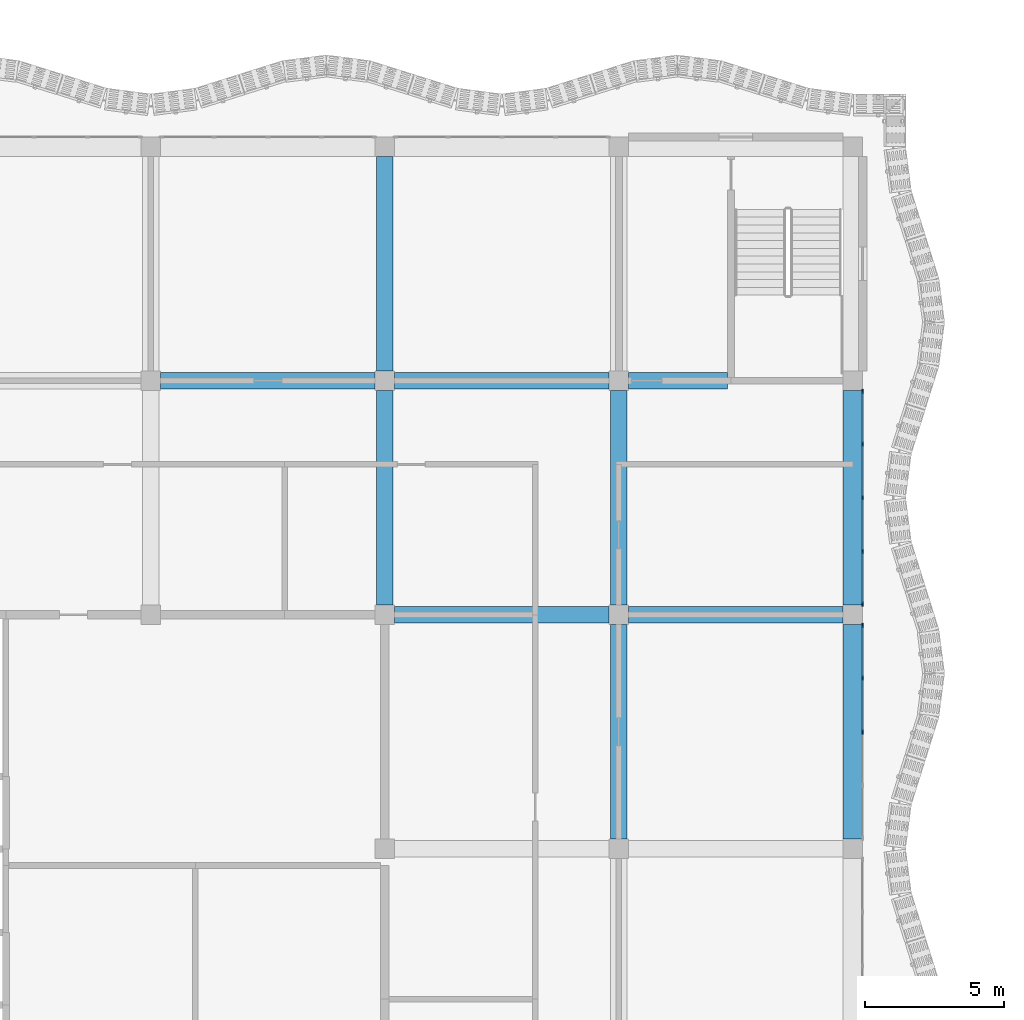
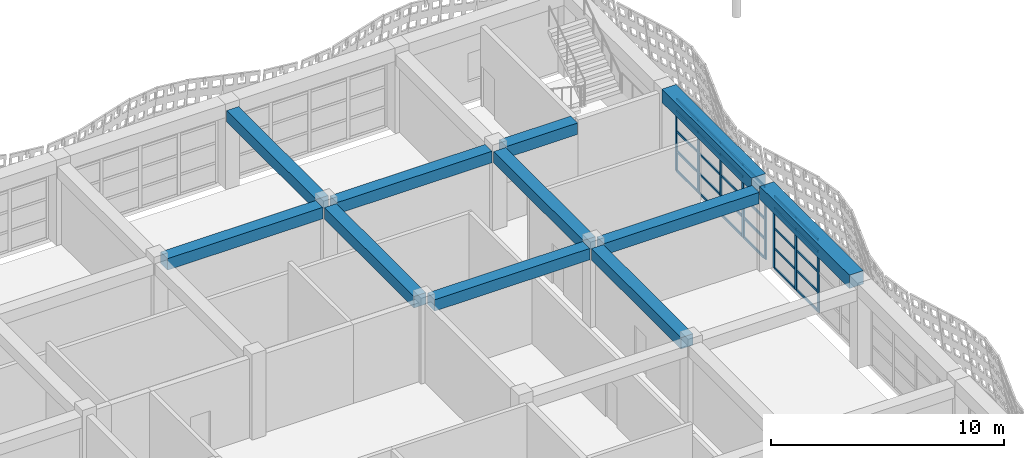
# One storey, part 23 of 162: 38 members, 11 beams, 2 elements without a shape of their own.
"""IFC4 building model written with IfcOpenShell, lengths in metres."""

import ifcopenshell
import ifcopenshell.guid

model = None  # the IFC model being written
_history = None  # IfcOwnerHistory: only IFC2X3 demands one
_inside = {}  # id of a spatial element -> (the spatial element, [elements in it])
_under = {}  # id of a project, library or spatial element -> (it, [spatial elements below it])
_declared = {}  # id of a project -> (the project, [libraries it declares])
_typed = {}  # id of a type object -> (the type object, [elements of that type])
_made_of = {}  # id of a material, layer set ... -> (it, [elements and type objects made of it])


def new_model(schema):
    """Start an empty IFC model of exactly this schema.

    Asked for "IFC4X3", IfcOpenShell would pick the latest addendum, in which some entities
    have other attributes; the version numbers below select the first issue.
    IFC2X3 requires an IfcOwnerHistory on every rooted entity: one is made here for all.
    """
    global model, _history
    if schema == "IFC4X3":
        model = ifcopenshell.file(schema_version=(4, 3, 0, 0))
    else:
        model = ifcopenshell.file(schema=schema)
    _inside.clear()
    _under.clear()
    _declared.clear()
    _typed.clear()
    _made_of.clear()
    _history = None
    if model.schema == "IFC2X3":
        org = make("IfcOrganization", Name="unknown")
        user = make(
            "IfcPersonAndOrganization",
            ThePerson=make("IfcPerson", FamilyName="unknown"),
            TheOrganization=org,
        )
        app = make(
            "IfcApplication",
            ApplicationDeveloper=org,
            Version="unknown",
            ApplicationFullName="unknown",
            ApplicationIdentifier="unknown",
        )
        _history = make(
            "IfcOwnerHistory",
            OwningUser=user,
            OwningApplication=app,
            ChangeAction="ADDED",
            CreationDate=0,
        )
    return model


def make(cls, **values):
    """One entity of the class cls with the attributes given. An attribute that is None is left unset."""
    return model.create_entity(
        cls, **{name: value for name, value in values.items() if value is not None}
    )


def rooted(cls, **values):
    """An entity with a GlobalId (a new one), such as an element, a storey or a relation."""
    return make(cls, GlobalId=ifcopenshell.guid.new(), OwnerHistory=_history, **values)


def si_unit(unit_type, name, prefix=None):
    """IfcSIUnit, for example si_unit("LENGTHUNIT", "METRE", prefix="MILLI")."""
    return make("IfcSIUnit", UnitType=unit_type, Prefix=prefix, Name=name)


def assignment(units):
    """IfcUnitAssignment: the units of a project."""
    return None if units is None else make("IfcUnitAssignment", Units=units)


def point(xyz):
    """IfcCartesianPoint."""
    return None if xyz is None else make("IfcCartesianPoint", Coordinates=xyz)


def direction(xyz):
    """IfcDirection."""
    return None if xyz is None else make("IfcDirection", DirectionRatios=xyz)


def frame(location, z_axis=None, x_axis=None):
    """IfcAxis2Placement3D, a coordinate frame: its origin and axes. An axis left out is left unset."""
    return make(
        "IfcAxis2Placement3D",
        Location=point(location),
        Axis=direction(z_axis),
        RefDirection=direction(x_axis),
    )


def frame_2d(location, x_axis=None):
    """IfcAxis2Placement2D, a coordinate frame in the plane: its origin and x axis."""
    return make(
        "IfcAxis2Placement2D", Location=point(location), RefDirection=direction(x_axis)
    )


def origin():
    """The frame at (0, 0, 0) with its axes left unset."""
    return frame((0.0, 0.0, 0.0))


def origin_2d():
    """The frame at (0, 0) in the plane with its x axis left unset."""
    return frame_2d((0.0, 0.0))


def place(relative_to, where):
    """IfcLocalPlacement: puts the frame where relative to a parent placement (None: the world)."""
    return make(
        "IfcLocalPlacement", PlacementRelTo=relative_to, RelativePlacement=where
    )


def context(
    kind, dimensions, precision=None, world=None, true_north=None, identifier=None
):
    """IfcGeometricRepresentationContext, for example the 3D "Model" context."""
    return make(
        "IfcGeometricRepresentationContext",
        ContextIdentifier=identifier,
        ContextType=kind,
        CoordinateSpaceDimension=dimensions,
        Precision=precision,
        WorldCoordinateSystem=world,
        TrueNorth=true_north,
    )


def subcontext(parent, identifier, kind, view, scale=None):
    """IfcGeometricRepresentationSubContext, for example "Body" below "Model"."""
    return make(
        "IfcGeometricRepresentationSubContext",
        ContextIdentifier=identifier,
        ContextType=kind,
        ParentContext=parent,
        TargetScale=scale,
        TargetView=view,
    )


def project(units=None, contexts=None):
    """IfcProject with its units and contexts."""
    return rooted(
        "IfcProject",
        Name="project",
        RepresentationContexts=contexts,
        UnitsInContext=assignment(units),
    )


def spatial(cls, under=None, at=None, **own):
    """A site, building, storey or space (cls), placed at a placement, below another one or the project."""
    s = rooted(cls, ObjectPlacement=at, **own)
    if under is not None:
        _under.setdefault(under.id(), (under, []))[1].append(s)
    return s


def profile(cls, at=None, kind="AREA", **sizes):
    """A parametric profile (cls). Its sizes go by their IFC names, for example OverallWidth=200.0."""
    return make(cls, ProfileType=kind, Position=at, **sizes)


def rectangle(**sizes):
    """IfcRectangleProfileDef."""
    return profile("IfcRectangleProfileDef", **sizes)


def extrude(swept, where, along, depth):
    """IfcExtrudedAreaSolid: the profile swept, set in the frame where, extruded along a direction by depth."""
    return make(
        "IfcExtrudedAreaSolid",
        SweptArea=swept,
        Position=where,
        ExtrudedDirection=direction(along),
        Depth=depth,
    )


def shape(context_of_items, identifier, shape_type, items):
    """IfcShapeRepresentation: the items that make up one representation, for example the "Body"."""
    return make(
        "IfcShapeRepresentation",
        ContextOfItems=context_of_items,
        RepresentationIdentifier=identifier,
        RepresentationType=shape_type,
        Items=items,
    )


def material(Name=None, Category=None):
    """IfcMaterial."""
    return make("IfcMaterial", Name=Name, Category=Category)


def material_profile(
    of_material, cross_section, Name=None, Category=None, Priority=None
):
    """IfcMaterialProfile: a cross section and its material."""
    return make(
        "IfcMaterialProfile",
        Name=Name,
        Material=of_material,
        Profile=cross_section,
        Priority=Priority,
        Category=Category,
    )


def profile_set(profiles, Name=None, composite=None):
    """IfcMaterialProfileSet."""
    return make(
        "IfcMaterialProfileSet",
        Name=Name,
        MaterialProfiles=profiles,
        CompositeProfile=composite,
    )


def made_of(thing, what):
    """Note that an element or type object is made of a material, layer set ...; save() writes the relation."""
    if what is not None:
        _made_of.setdefault(what.id(), (what, []))[1].append(thing)
    return thing


def type_object(cls, material=None, **own):
    """A type object (cls), such as IfcWallType, which elements share."""
    return made_of(rooted(cls, **own), material)


def element(
    cls,
    number,
    at=None,
    inside=None,
    cuts=None,
    type_object=None,
    material=None,
    context=None,
    identifier="Body",
    shape_type=None,
    held_by="IfcProductDefinitionShape",
    body=None,
    shapes=None,
    **own,
):
    """One element of the class cls, such as IfcWall. Its Tag is "e" and its number.

    at: its placement. inside: the storey or other place that contains it. cuts: it is an
    opening in that element (IfcRelVoidsElement). A single representation is given by context,
    identifier, shape_type and body (its items); several are given by shapes. held_by: the class
    of the entity that holds the representations. save() writes the other relations.
    """
    e = rooted(cls, Tag="e%d" % number, ObjectPlacement=at, **own)
    if body is not None:
        shapes = [shape(context, identifier, shape_type, body)]
    if shapes is not None:
        e.Representation = make(held_by, Representations=shapes)
    if inside is not None:
        _inside.setdefault(inside.id(), (inside, []))[1].append(e)
    if cuts is not None:
        rooted(
            "IfcRelVoidsElement", RelatingBuildingElement=cuts, RelatedOpeningElement=e
        )
    if type_object is not None:
        _typed.setdefault(type_object.id(), (type_object, []))[1].append(e)
    return made_of(e, material)


def aggregate(whole, parts):
    """IfcRelAggregates: a whole, such as a stair, and the parts it consists of."""
    return rooted("IfcRelAggregates", RelatingObject=whole, RelatedObjects=parts)


def save(model, path):
    """Write the relations noted so far, then the file.

    IfcRelAggregates (storeys below a building ...), IfcRelContainedInSpatialStructure (elements
    in a storey), IfcRelDefinesByType, IfcRelAssociatesMaterial and IfcRelDeclares: one each for
    every whole, place, type object, material and project.
    """
    for whole, parts in _under.values():
        aggregate(whole, parts)
    for where, things in _inside.values():
        rooted(
            "IfcRelContainedInSpatialStructure",
            RelatedElements=things,
            RelatingStructure=where,
        )
    for kind, things in _typed.values():
        rooted("IfcRelDefinesByType", RelatedObjects=things, RelatingType=kind)
    for what, things in _made_of.values():
        rooted("IfcRelAssociatesMaterial", RelatedObjects=things, RelatingMaterial=what)
    for by, libraries in _declared.values():
        rooted("IfcRelDeclares", RelatingContext=by, RelatedDefinitions=libraries)
    model.write(path)


model = new_model("IFC4")

# Units and contexts
model_context = context("Model", 3, precision=1e-05, world=origin(), true_north=direction((0.0, 1.0)))
body_context = subcontext(model_context, "Body", "Model", "MODEL_VIEW")
ifc_project = project(units=[si_unit("LENGTHUNIT", "METRE"), si_unit("AREAUNIT", "SQUARE_METRE"), si_unit("VOLUMEUNIT", "CUBIC_METRE"), si_unit("PLANEANGLEUNIT", "RADIAN"), si_unit("MASSUNIT", "GRAM", prefix="KILO")], contexts=[model_context])

# Site, building, storey
site_placement = place(None, origin())
site = spatial("IfcSite", under=ifc_project, at=site_placement, CompositionType="ELEMENT")
building_placement = place(site_placement, origin())
building = spatial("IfcBuilding", under=site, at=building_placement, Name="Rain Tree Exposition and Congress Centre", CompositionType="ELEMENT")
storey_placement = place(building_placement, frame((0.0, 0.0, 6.0)))
storey = spatial("IfcBuildingStorey", under=building, at=storey_placement, Name="L01", CompositionType="ELEMENT", Elevation=6.0)

# Beams
ifc_material_1 = material(Name="Precast concrete C50/60", Category="concrete")
ifc_material_profile_1 = material_profile(ifc_material_1, rectangle(XDim=0.60009765625, YDim=0.60009765625, at=origin_2d()), Name="RC 600x600")
ifc_profile_set_1 = profile_set([ifc_material_profile_1], Name="Precast concrete C50/60")
beam_type_1 = type_object("IfcBeamType", Name="Precast beam 600x600", PredefinedType="BEAM", material=ifc_profile_set_1)
for number, where, z_axis, x_axis, name in (
    (1, (33.949951171875, 33.60009765625, 3.85009765625), (1.0, 0.0, 0.0), (0.0, 1.0, 0.0), "wing/beam/L01/L02/045"),
    (2, (33.60009765625, 33.949951171875, 3.85009765625), (0.0, 1.0, 0.0), (-1.0, 0.0, 0.0), "wing/beam/L01/L02/046"),
    (3, (42.35009765625, 33.60009765625, 3.85009765625), (1.0, 0.0, 0.0), (0.0, 1.0, 0.0), "wing/beam/L01/L02/047"),
    (4, (33.60009765625, 42.35009765625, 3.85009765625), (0.0, 1.0, 0.0), (-1.0, 0.0, 0.0), "wing/beam/L01/L02/048"),
    (5, (25.550048828125, 42.0, 3.85009765625), (1.0, 0.0, 0.0), (0.0, 1.0, 0.0), "wing/beam/L01/L02/055"),
    (6, (42.0, 25.550048828125, 3.85009765625), (0.0, 1.0, 0.0), (-1.0, 0.0, 0.0), "wing/beam/L01/L02/056"),
    (7, (33.949951171875, 42.0, 3.85009765625), (1.0, 0.0, 0.0), (0.0, 1.0, 0.0), "wing/beam/L01/L02/057"),
    (8, (42.0, 33.949951171875, 3.85009765625), (0.0, 1.0, 0.0), (-1.0, 0.0, 0.0), "wing/beam/L01/L02/058"),
):
    element("IfcBeam", number, at=place(storey_placement, frame(where, z_axis=z_axis, x_axis=x_axis)), inside=storey, type_object=beam_type_1, Name=name, PredefinedType="BEAM", context=body_context, shape_type="SweptSolid", body=[
        extrude(rectangle(XDim=0.60009765625, YDim=0.60009765625, at=origin_2d()), origin(), (0.0, 0.0, 1.0), 7.699951171875),
    ])
beam_placement = place(storey_placement, frame((42.35009765625, 42.0, 3.85009765625), z_axis=(1.0, 0.0, 0.0), x_axis=(0.0, 1.0, 0.0)))
element("IfcBeam", 9, at=beam_placement, inside=storey, type_object=beam_type_1, Name="wing/beam/L01/L02/059", PredefinedType="BEAM", context=body_context, shape_type="SweptSolid", body=[
    extrude(rectangle(XDim=0.60009765625, YDim=0.60009765625, at=origin_2d()), origin(), (0.0, 0.0, 1.0), 3.5498046875),
])
ifc_material_2 = material(Name="Precast concrete C50/60", Category="concrete")
ifc_material_profile_2 = material_profile(ifc_material_2, rectangle(XDim=0.699951171875, YDim=0.699951171875, at=origin_2d()), Name="RC 700x700")
ifc_profile_set_2 = profile_set([ifc_material_profile_2], Name="Precast concrete C50/60")
beam_type_2 = type_object("IfcBeamType", Name="Precast spandrel beam 700x700", PredefinedType="SPANDREL", material=ifc_profile_set_2)
for number, where, z_axis, x_axis, name in (
    (10, (50.39990234375, 25.550048828125, 4.14990234375), (0.0, 1.0, 0.0), (-1.0, 0.0, 0.0), "wing/beam/L01/L02/068"),
    (11, (50.39990234375, 33.949951171875, 4.14990234375), (0.0, 1.0, 0.0), (-1.0, 0.0, 0.0), "wing/beam/L01/L02/070"),
):
    element("IfcBeam", number, at=place(storey_placement, frame(where, z_axis=z_axis, x_axis=x_axis)), inside=storey, type_object=beam_type_2, Name=name, PredefinedType="SPANDREL", context=body_context, shape_type="SweptSolid", body=[
        extrude(rectangle(XDim=0.699951171875, YDim=0.699951171875, at=origin_2d()), origin(), (0.0, 0.0, 1.0), 7.699951171875),
    ])

# Curtain wall, members
ifc_material_3 = material(Name="Aluminium curtain wall", Category="aluminium")
curtain_wall_type = type_object("IfcCurtainWallType", Name="Wing curtain wall 1925", PredefinedType="NOTDEFINED", material=ifc_material_3)
curtain_wall_1_placement = place(storey_placement, origin())
curtain_wall_1 = element("IfcCurtainWall", 12, at=curtain_wall_1_placement, inside=storey, type_object=curtain_wall_type, Name="Curtain wall CWW214", PredefinedType="NOTDEFINED")
ifc_material_4 = material(Name="Aluminium", Category="aluminium")
ifc_material_profile_3 = material_profile(ifc_material_4, rectangle(XDim=0.06005859375, YDim=0.159912109375, at=origin_2d()), Name="Aluminium 60x160")
ifc_profile_set_3 = profile_set([ifc_material_profile_3], Name="Aluminium")
member_type_1 = type_object("IfcMemberType", Name="Wing mullion 60x160", PredefinedType="MULLION", material=ifc_profile_set_3)
member_1_placement = place(storey_placement, frame((50.75, 29.39990234375, 0.0), z_axis=(0.0, 0.0, 1.0), x_axis=(-1.0, 0.0, 0.0)))
member_1 = element("IfcMember", 13, at=member_1_placement, type_object=member_type_1, Name="CWW214 mullion 3", PredefinedType="MULLION", context=body_context, shape_type="SweptSolid", body=[
    extrude(rectangle(XDim=0.06005859375, YDim=0.159912109375, at=origin_2d()), origin(), (0.0, 0.0, 1.0), 3.800048828125),
])
member_2_placement = place(storey_placement, frame((50.75, 31.324951171875, 0.0), z_axis=(0.0, 0.0, 1.0), x_axis=(-1.0, 0.0, 0.0)))
member_2 = element("IfcMember", 14, at=member_2_placement, type_object=member_type_1, Name="CWW214 mullion 4", PredefinedType="MULLION", context=body_context, shape_type="SweptSolid", body=[
    extrude(rectangle(XDim=0.06005859375, YDim=0.159912109375, at=origin_2d()), origin(), (0.0, 0.0, 1.0), 3.800048828125),
])
member_3_placement = place(storey_placement, frame((50.75, 33.219970703125, 0.0), z_axis=(0.0, 0.0, 1.0), x_axis=(-1.0, 0.0, 0.0)))
member_3 = element("IfcMember", 15, at=member_3_placement, type_object=member_type_1, Name="CWW214 mullion 5", PredefinedType="MULLION", context=body_context, shape_type="SweptSolid", body=[
    extrude(rectangle(XDim=0.06005859375, YDim=0.159912109375, at=origin_2d()), origin(), (0.0, 0.0, 1.0), 3.800048828125),
])

curtain_wall_2_placement = place(storey_placement, origin())
curtain_wall_2 = element("IfcCurtainWall", 16, at=curtain_wall_2_placement, inside=storey, type_object=curtain_wall_type, Name="Curtain wall CWW215", PredefinedType="NOTDEFINED")
member_4_placement = place(storey_placement, frame((50.75, 33.97998046875, 0.0), z_axis=(0.0, 0.0, 1.0), x_axis=(-1.0, 0.0, 0.0)))
member_4 = element("IfcMember", 17, at=member_4_placement, type_object=member_type_1, Name="CWW215 mullion 1", PredefinedType="MULLION", context=body_context, shape_type="SweptSolid", body=[
    extrude(rectangle(XDim=0.06005859375, YDim=0.159912109375, at=origin_2d()), origin(), (0.0, 0.0, 1.0), 3.800048828125),
])
member_5_placement = place(storey_placement, frame((50.75, 35.875, 0.0), z_axis=(0.0, 0.0, 1.0), x_axis=(-1.0, 0.0, 0.0)))
member_5 = element("IfcMember", 18, at=member_5_placement, type_object=member_type_1, Name="CWW215 mullion 2", PredefinedType="MULLION", context=body_context, shape_type="SweptSolid", body=[
    extrude(rectangle(XDim=0.06005859375, YDim=0.159912109375, at=origin_2d()), origin(), (0.0, 0.0, 1.0), 3.800048828125),
])
member_6_placement = place(storey_placement, frame((50.75, 37.800048828125, 0.0), z_axis=(0.0, 0.0, 1.0), x_axis=(-1.0, 0.0, 0.0)))
member_6 = element("IfcMember", 19, at=member_6_placement, type_object=member_type_1, Name="CWW215 mullion 3", PredefinedType="MULLION", context=body_context, shape_type="SweptSolid", body=[
    extrude(rectangle(XDim=0.06005859375, YDim=0.159912109375, at=origin_2d()), origin(), (0.0, 0.0, 1.0), 3.800048828125),
])
member_7_placement = place(storey_placement, frame((50.75, 39.72509765625, 0.0), z_axis=(0.0, 0.0, 1.0), x_axis=(-1.0, 0.0, 0.0)))
member_7 = element("IfcMember", 20, at=member_7_placement, type_object=member_type_1, Name="CWW215 mullion 4", PredefinedType="MULLION", context=body_context, shape_type="SweptSolid", body=[
    extrude(rectangle(XDim=0.06005859375, YDim=0.159912109375, at=origin_2d()), origin(), (0.0, 0.0, 1.0), 3.800048828125),
])
member_8_placement = place(storey_placement, frame((50.75, 41.6201171875, 0.0), z_axis=(0.0, 0.0, 1.0), x_axis=(-1.0, 0.0, 0.0)))
member_8 = element("IfcMember", 21, at=member_8_placement, type_object=member_type_1, Name="CWW215 mullion 5", PredefinedType="MULLION", context=body_context, shape_type="SweptSolid", body=[
    extrude(rectangle(XDim=0.06005859375, YDim=0.159912109375, at=origin_2d()), origin(), (0.0, 0.0, 1.0), 3.800048828125),
])

# Member
ifc_material_5 = material(Name="Aluminium", Category="aluminium")
ifc_material_profile_4 = material_profile(ifc_material_5, rectangle(XDim=0.06005859375, YDim=0.1201171875, at=origin_2d()), Name="Aluminium 60x120")
ifc_profile_set_4 = profile_set([ifc_material_profile_4], Name="Aluminium")
member_type_2 = type_object("IfcMemberType", Name="Wing transom 60x120", PredefinedType="USERDEFINED", material=ifc_profile_set_4)
member_9_placement = place(storey_placement, frame((50.75, 29.429931640625, 0.030029296875), z_axis=(0.0, 1.0, 0.0), x_axis=(-1.0, 0.0, 0.0)))
member_9 = element("IfcMember", 22, at=member_9_placement, type_object=member_type_2, Name="CWW214 transom 3.1", ObjectType="TRANSOM", PredefinedType="USERDEFINED", context=body_context, shape_type="SweptSolid", body=[
    extrude(rectangle(XDim=0.06005859375, YDim=0.1201171875, at=origin_2d()), origin(), (0.0, 0.0, 1.0), 1.864990234375),
])

member_10_placement = place(storey_placement, frame((50.75, 29.429931640625, 1.050048828125), z_axis=(0.0, 1.0, 0.0), x_axis=(-1.0, 0.0, 0.0)))
member_10 = element("IfcMember", 23, at=member_10_placement, type_object=member_type_2, Name="CWW214 transom 3.2", ObjectType="TRANSOM", PredefinedType="USERDEFINED", context=body_context, shape_type="SweptSolid", body=[
    extrude(rectangle(XDim=0.06005859375, YDim=0.1201171875, at=origin_2d()), origin(), (0.0, 0.0, 1.0), 1.864990234375),
])

member_11_placement = place(storey_placement, frame((50.75, 29.429931640625, 2.10009765625), z_axis=(0.0, 1.0, 0.0), x_axis=(-1.0, 0.0, 0.0)))
member_11 = element("IfcMember", 24, at=member_11_placement, type_object=member_type_2, Name="CWW214 transom 3.3", ObjectType="TRANSOM", PredefinedType="USERDEFINED", context=body_context, shape_type="SweptSolid", body=[
    extrude(rectangle(XDim=0.06005859375, YDim=0.1201171875, at=origin_2d()), origin(), (0.0, 0.0, 1.0), 1.864990234375),
])

member_12_placement = place(storey_placement, frame((50.75, 29.429931640625, 3.14990234375), z_axis=(0.0, 1.0, 0.0), x_axis=(-1.0, 0.0, 0.0)))
member_12 = element("IfcMember", 25, at=member_12_placement, type_object=member_type_2, Name="CWW214 transom 3.4", ObjectType="TRANSOM", PredefinedType="USERDEFINED", context=body_context, shape_type="SweptSolid", body=[
    extrude(rectangle(XDim=0.06005859375, YDim=0.1201171875, at=origin_2d()), origin(), (0.0, 0.0, 1.0), 1.864990234375),
])

member_13_placement = place(storey_placement, frame((50.75, 29.429931640625, 3.77001953125), z_axis=(0.0, 1.0, 0.0), x_axis=(-1.0, 0.0, 0.0)))
member_13 = element("IfcMember", 26, at=member_13_placement, type_object=member_type_2, Name="CWW214 transom 3.5", ObjectType="TRANSOM", PredefinedType="USERDEFINED", context=body_context, shape_type="SweptSolid", body=[
    extrude(rectangle(XDim=0.06005859375, YDim=0.1201171875, at=origin_2d()), origin(), (0.0, 0.0, 1.0), 1.864990234375),
])

member_14_placement = place(storey_placement, frame((50.75, 31.35498046875, 0.030029296875), z_axis=(0.0, 1.0, 0.0), x_axis=(-1.0, 0.0, 0.0)))
member_14 = element("IfcMember", 27, at=member_14_placement, type_object=member_type_2, Name="CWW214 transom 4.1", ObjectType="TRANSOM", PredefinedType="USERDEFINED", context=body_context, shape_type="SweptSolid", body=[
    extrude(rectangle(XDim=0.06005859375, YDim=0.1201171875, at=origin_2d()), origin(), (0.0, 0.0, 1.0), 1.8349609375),
])

member_15_placement = place(storey_placement, frame((50.75, 31.35498046875, 1.050048828125), z_axis=(0.0, 1.0, 0.0), x_axis=(-1.0, 0.0, 0.0)))
member_15 = element("IfcMember", 28, at=member_15_placement, type_object=member_type_2, Name="CWW214 transom 4.2", ObjectType="TRANSOM", PredefinedType="USERDEFINED", context=body_context, shape_type="SweptSolid", body=[
    extrude(rectangle(XDim=0.06005859375, YDim=0.1201171875, at=origin_2d()), origin(), (0.0, 0.0, 1.0), 1.8349609375),
])

member_16_placement = place(storey_placement, frame((50.75, 31.35498046875, 2.10009765625), z_axis=(0.0, 1.0, 0.0), x_axis=(-1.0, 0.0, 0.0)))
member_16 = element("IfcMember", 29, at=member_16_placement, type_object=member_type_2, Name="CWW214 transom 4.3", ObjectType="TRANSOM", PredefinedType="USERDEFINED", context=body_context, shape_type="SweptSolid", body=[
    extrude(rectangle(XDim=0.06005859375, YDim=0.1201171875, at=origin_2d()), origin(), (0.0, 0.0, 1.0), 1.8349609375),
])

member_17_placement = place(storey_placement, frame((50.75, 31.35498046875, 3.14990234375), z_axis=(0.0, 1.0, 0.0), x_axis=(-1.0, 0.0, 0.0)))
member_17 = element("IfcMember", 30, at=member_17_placement, type_object=member_type_2, Name="CWW214 transom 4.4", ObjectType="TRANSOM", PredefinedType="USERDEFINED", context=body_context, shape_type="SweptSolid", body=[
    extrude(rectangle(XDim=0.06005859375, YDim=0.1201171875, at=origin_2d()), origin(), (0.0, 0.0, 1.0), 1.8349609375),
])

member_18_placement = place(storey_placement, frame((50.75, 31.35498046875, 3.77001953125), z_axis=(0.0, 1.0, 0.0), x_axis=(-1.0, 0.0, 0.0)))
member_18 = element("IfcMember", 31, at=member_18_placement, type_object=member_type_2, Name="CWW214 transom 4.5", ObjectType="TRANSOM", PredefinedType="USERDEFINED", context=body_context, shape_type="SweptSolid", body=[
    extrude(rectangle(XDim=0.06005859375, YDim=0.1201171875, at=origin_2d()), origin(), (0.0, 0.0, 1.0), 1.8349609375),
])

aggregate(curtain_wall_1, [member_1, member_2, member_3, member_9, member_10, member_11, member_12, member_13, member_14, member_15, member_16, member_17, member_18])

member_19_placement = place(storey_placement, frame((50.75, 34.010009765625, 0.030029296875), z_axis=(0.0, 1.0, 0.0), x_axis=(-1.0, 0.0, 0.0)))
member_19 = element("IfcMember", 32, at=member_19_placement, type_object=member_type_2, Name="CWW215 transom 1.1", ObjectType="TRANSOM", PredefinedType="USERDEFINED", context=body_context, shape_type="SweptSolid", body=[
    extrude(rectangle(XDim=0.06005859375, YDim=0.1201171875, at=origin_2d()), origin(), (0.0, 0.0, 1.0), 1.8349609375),
])

member_20_placement = place(storey_placement, frame((50.75, 34.010009765625, 1.050048828125), z_axis=(0.0, 1.0, 0.0), x_axis=(-1.0, 0.0, 0.0)))
member_20 = element("IfcMember", 33, at=member_20_placement, type_object=member_type_2, Name="CWW215 transom 1.2", ObjectType="TRANSOM", PredefinedType="USERDEFINED", context=body_context, shape_type="SweptSolid", body=[
    extrude(rectangle(XDim=0.06005859375, YDim=0.1201171875, at=origin_2d()), origin(), (0.0, 0.0, 1.0), 1.8349609375),
])

member_21_placement = place(storey_placement, frame((50.75, 34.010009765625, 2.10009765625), z_axis=(0.0, 1.0, 0.0), x_axis=(-1.0, 0.0, 0.0)))
member_21 = element("IfcMember", 34, at=member_21_placement, type_object=member_type_2, Name="CWW215 transom 1.3", ObjectType="TRANSOM", PredefinedType="USERDEFINED", context=body_context, shape_type="SweptSolid", body=[
    extrude(rectangle(XDim=0.06005859375, YDim=0.1201171875, at=origin_2d()), origin(), (0.0, 0.0, 1.0), 1.8349609375),
])

member_22_placement = place(storey_placement, frame((50.75, 34.010009765625, 3.14990234375), z_axis=(0.0, 1.0, 0.0), x_axis=(-1.0, 0.0, 0.0)))
member_22 = element("IfcMember", 35, at=member_22_placement, type_object=member_type_2, Name="CWW215 transom 1.4", ObjectType="TRANSOM", PredefinedType="USERDEFINED", context=body_context, shape_type="SweptSolid", body=[
    extrude(rectangle(XDim=0.06005859375, YDim=0.1201171875, at=origin_2d()), origin(), (0.0, 0.0, 1.0), 1.8349609375),
])

member_23_placement = place(storey_placement, frame((50.75, 34.010009765625, 3.77001953125), z_axis=(0.0, 1.0, 0.0), x_axis=(-1.0, 0.0, 0.0)))
member_23 = element("IfcMember", 36, at=member_23_placement, type_object=member_type_2, Name="CWW215 transom 1.5", ObjectType="TRANSOM", PredefinedType="USERDEFINED", context=body_context, shape_type="SweptSolid", body=[
    extrude(rectangle(XDim=0.06005859375, YDim=0.1201171875, at=origin_2d()), origin(), (0.0, 0.0, 1.0), 1.8349609375),
])

member_24_placement = place(storey_placement, frame((50.75, 35.905029296875, 0.030029296875), z_axis=(0.0, 1.0, 0.0), x_axis=(-1.0, 0.0, 0.0)))
member_24 = element("IfcMember", 37, at=member_24_placement, type_object=member_type_2, Name="CWW215 transom 2.1", ObjectType="TRANSOM", PredefinedType="USERDEFINED", context=body_context, shape_type="SweptSolid", body=[
    extrude(rectangle(XDim=0.06005859375, YDim=0.1201171875, at=origin_2d()), origin(), (0.0, 0.0, 1.0), 1.864990234375),
])

member_25_placement = place(storey_placement, frame((50.75, 35.905029296875, 1.050048828125), z_axis=(0.0, 1.0, 0.0), x_axis=(-1.0, 0.0, 0.0)))
member_25 = element("IfcMember", 38, at=member_25_placement, type_object=member_type_2, Name="CWW215 transom 2.2", ObjectType="TRANSOM", PredefinedType="USERDEFINED", context=body_context, shape_type="SweptSolid", body=[
    extrude(rectangle(XDim=0.06005859375, YDim=0.1201171875, at=origin_2d()), origin(), (0.0, 0.0, 1.0), 1.864990234375),
])

member_26_placement = place(storey_placement, frame((50.75, 35.905029296875, 2.10009765625), z_axis=(0.0, 1.0, 0.0), x_axis=(-1.0, 0.0, 0.0)))
member_26 = element("IfcMember", 39, at=member_26_placement, type_object=member_type_2, Name="CWW215 transom 2.3", ObjectType="TRANSOM", PredefinedType="USERDEFINED", context=body_context, shape_type="SweptSolid", body=[
    extrude(rectangle(XDim=0.06005859375, YDim=0.1201171875, at=origin_2d()), origin(), (0.0, 0.0, 1.0), 1.864990234375),
])

member_27_placement = place(storey_placement, frame((50.75, 35.905029296875, 3.14990234375), z_axis=(0.0, 1.0, 0.0), x_axis=(-1.0, 0.0, 0.0)))
member_27 = element("IfcMember", 40, at=member_27_placement, type_object=member_type_2, Name="CWW215 transom 2.4", ObjectType="TRANSOM", PredefinedType="USERDEFINED", context=body_context, shape_type="SweptSolid", body=[
    extrude(rectangle(XDim=0.06005859375, YDim=0.1201171875, at=origin_2d()), origin(), (0.0, 0.0, 1.0), 1.864990234375),
])

member_28_placement = place(storey_placement, frame((50.75, 35.905029296875, 3.77001953125), z_axis=(0.0, 1.0, 0.0), x_axis=(-1.0, 0.0, 0.0)))
member_28 = element("IfcMember", 41, at=member_28_placement, type_object=member_type_2, Name="CWW215 transom 2.5", ObjectType="TRANSOM", PredefinedType="USERDEFINED", context=body_context, shape_type="SweptSolid", body=[
    extrude(rectangle(XDim=0.06005859375, YDim=0.1201171875, at=origin_2d()), origin(), (0.0, 0.0, 1.0), 1.864990234375),
])

member_29_placement = place(storey_placement, frame((50.75, 37.830078125, 0.030029296875), z_axis=(0.0, 1.0, 0.0), x_axis=(-1.0, 0.0, 0.0)))
member_29 = element("IfcMember", 42, at=member_29_placement, type_object=member_type_2, Name="CWW215 transom 3.1", ObjectType="TRANSOM", PredefinedType="USERDEFINED", context=body_context, shape_type="SweptSolid", body=[
    extrude(rectangle(XDim=0.06005859375, YDim=0.1201171875, at=origin_2d()), origin(), (0.0, 0.0, 1.0), 1.864990234375),
])

member_30_placement = place(storey_placement, frame((50.75, 37.830078125, 1.050048828125), z_axis=(0.0, 1.0, 0.0), x_axis=(-1.0, 0.0, 0.0)))
member_30 = element("IfcMember", 43, at=member_30_placement, type_object=member_type_2, Name="CWW215 transom 3.2", ObjectType="TRANSOM", PredefinedType="USERDEFINED", context=body_context, shape_type="SweptSolid", body=[
    extrude(rectangle(XDim=0.06005859375, YDim=0.1201171875, at=origin_2d()), origin(), (0.0, 0.0, 1.0), 1.864990234375),
])

member_31_placement = place(storey_placement, frame((50.75, 37.830078125, 2.10009765625), z_axis=(0.0, 1.0, 0.0), x_axis=(-1.0, 0.0, 0.0)))
member_31 = element("IfcMember", 44, at=member_31_placement, type_object=member_type_2, Name="CWW215 transom 3.3", ObjectType="TRANSOM", PredefinedType="USERDEFINED", context=body_context, shape_type="SweptSolid", body=[
    extrude(rectangle(XDim=0.06005859375, YDim=0.1201171875, at=origin_2d()), origin(), (0.0, 0.0, 1.0), 1.864990234375),
])

member_32_placement = place(storey_placement, frame((50.75, 37.830078125, 3.14990234375), z_axis=(0.0, 1.0, 0.0), x_axis=(-1.0, 0.0, 0.0)))
member_32 = element("IfcMember", 45, at=member_32_placement, type_object=member_type_2, Name="CWW215 transom 3.4", ObjectType="TRANSOM", PredefinedType="USERDEFINED", context=body_context, shape_type="SweptSolid", body=[
    extrude(rectangle(XDim=0.06005859375, YDim=0.1201171875, at=origin_2d()), origin(), (0.0, 0.0, 1.0), 1.864990234375),
])

member_33_placement = place(storey_placement, frame((50.75, 37.830078125, 3.77001953125), z_axis=(0.0, 1.0, 0.0), x_axis=(-1.0, 0.0, 0.0)))
member_33 = element("IfcMember", 46, at=member_33_placement, type_object=member_type_2, Name="CWW215 transom 3.5", ObjectType="TRANSOM", PredefinedType="USERDEFINED", context=body_context, shape_type="SweptSolid", body=[
    extrude(rectangle(XDim=0.06005859375, YDim=0.1201171875, at=origin_2d()), origin(), (0.0, 0.0, 1.0), 1.864990234375),
])

member_34_placement = place(storey_placement, frame((50.75, 39.7548828125, 0.030029296875), z_axis=(0.0, 1.0, 0.0), x_axis=(-1.0, 0.0, 0.0)))
member_34 = element("IfcMember", 47, at=member_34_placement, type_object=member_type_2, Name="CWW215 transom 4.1", ObjectType="TRANSOM", PredefinedType="USERDEFINED", context=body_context, shape_type="SweptSolid", body=[
    extrude(rectangle(XDim=0.06005859375, YDim=0.1201171875, at=origin_2d()), origin(), (0.0, 0.0, 1.0), 1.835205078125),
])

member_35_placement = place(storey_placement, frame((50.75, 39.7548828125, 1.050048828125), z_axis=(0.0, 1.0, 0.0), x_axis=(-1.0, 0.0, 0.0)))
member_35 = element("IfcMember", 48, at=member_35_placement, type_object=member_type_2, Name="CWW215 transom 4.2", ObjectType="TRANSOM", PredefinedType="USERDEFINED", context=body_context, shape_type="SweptSolid", body=[
    extrude(rectangle(XDim=0.06005859375, YDim=0.1201171875, at=origin_2d()), origin(), (0.0, 0.0, 1.0), 1.835205078125),
])

member_36_placement = place(storey_placement, frame((50.75, 39.7548828125, 2.10009765625), z_axis=(0.0, 1.0, 0.0), x_axis=(-1.0, 0.0, 0.0)))
member_36 = element("IfcMember", 49, at=member_36_placement, type_object=member_type_2, Name="CWW215 transom 4.3", ObjectType="TRANSOM", PredefinedType="USERDEFINED", context=body_context, shape_type="SweptSolid", body=[
    extrude(rectangle(XDim=0.06005859375, YDim=0.1201171875, at=origin_2d()), origin(), (0.0, 0.0, 1.0), 1.835205078125),
])

member_37_placement = place(storey_placement, frame((50.75, 39.7548828125, 3.14990234375), z_axis=(0.0, 1.0, 0.0), x_axis=(-1.0, 0.0, 0.0)))
member_37 = element("IfcMember", 50, at=member_37_placement, type_object=member_type_2, Name="CWW215 transom 4.4", ObjectType="TRANSOM", PredefinedType="USERDEFINED", context=body_context, shape_type="SweptSolid", body=[
    extrude(rectangle(XDim=0.06005859375, YDim=0.1201171875, at=origin_2d()), origin(), (0.0, 0.0, 1.0), 1.835205078125),
])

member_38_placement = place(storey_placement, frame((50.75, 39.7548828125, 3.77001953125), z_axis=(0.0, 1.0, 0.0), x_axis=(-1.0, 0.0, 0.0)))
member_38 = element("IfcMember", 51, at=member_38_placement, type_object=member_type_2, Name="CWW215 transom 4.5", ObjectType="TRANSOM", PredefinedType="USERDEFINED", context=body_context, shape_type="SweptSolid", body=[
    extrude(rectangle(XDim=0.06005859375, YDim=0.1201171875, at=origin_2d()), origin(), (0.0, 0.0, 1.0), 1.835205078125),
])

aggregate(curtain_wall_2, [member_4, member_5, member_6, member_7, member_8, member_19, member_20, member_21, member_22, member_23, member_24, member_25, member_26, member_27, member_28, member_29, member_30, member_31, member_32, member_33, member_34, member_35, member_36, member_37, member_38])

save(model, "model.ifc")
